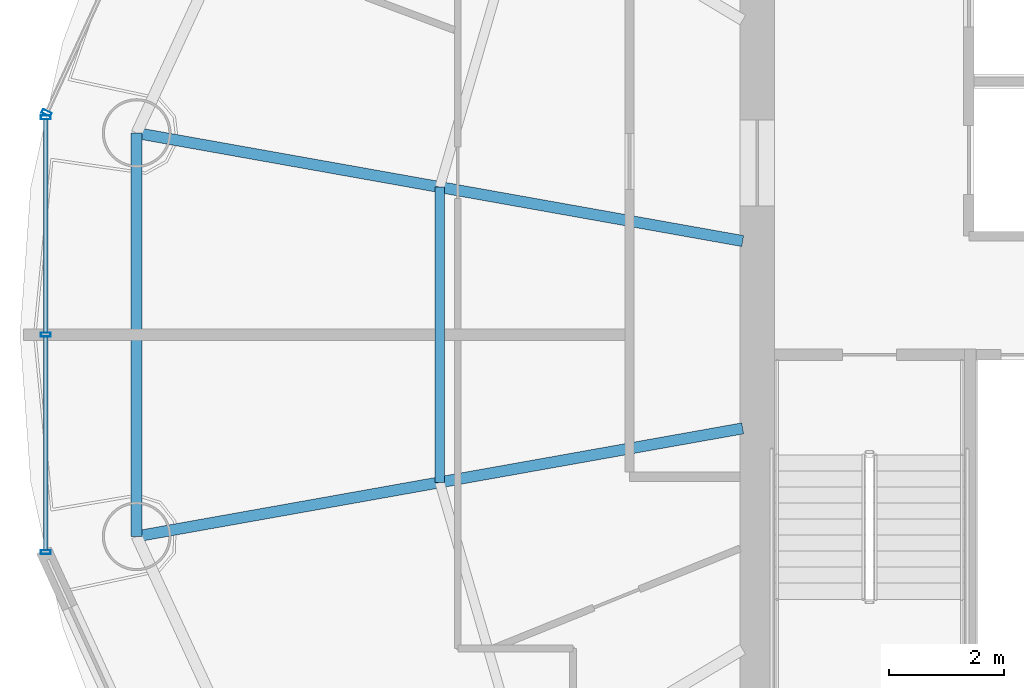
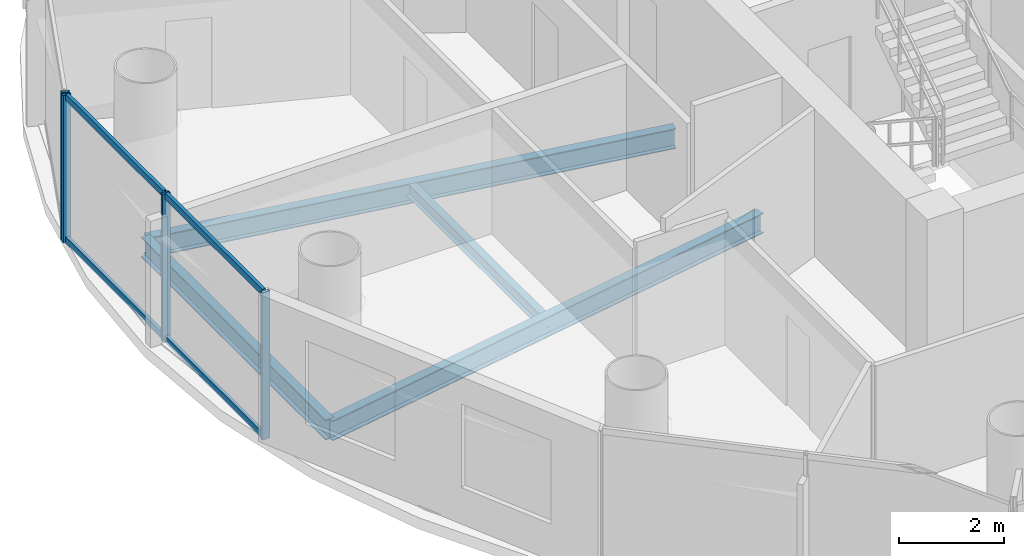
# One storey, part 7 of 26: 8 members, 4 beams, 2 elements without a shape of their own.
"""IFC4 building model written with IfcOpenShell, lengths in metres."""

from ifc_helpers import new_model, si_unit, direction, frame, origin, origin_2d, place, context, subcontext, project, spatial, hollow_rectangle, i_section, extrude, source, transform, mapped, material, material_profile, profile_set, type_object, element, aggregate, save


model = new_model("IFC4")

# Units and contexts
model_context = context("Model", 3, precision=1e-05, world=origin(), true_north=direction((-0.2419218956, 0.970295726276)))
body_context = subcontext(model_context, "Body", "Model", "MODEL_VIEW")
ifc_project = project(units=[si_unit("LENGTHUNIT", "METRE"), si_unit("AREAUNIT", "SQUARE_METRE"), si_unit("VOLUMEUNIT", "CUBIC_METRE"), si_unit("PLANEANGLEUNIT", "RADIAN"), si_unit("MASSUNIT", "GRAM", prefix="KILO")], contexts=[model_context])

# Site, building, storey
site_placement = place(None, origin())
site = spatial("IfcSite", under=ifc_project, at=site_placement, CompositionType="ELEMENT")
building_placement = place(site_placement, origin())
building = spatial("IfcBuilding", under=site, at=building_placement, Name="Cobrevalo Terracotta Tower", CompositionType="ELEMENT")
storey_placement = place(building_placement, frame((0.0, 0.0, 235.60009765625)))
storey = spatial("IfcBuildingStorey", under=building, at=storey_placement, Name="L62", CompositionType="ELEMENT", Elevation=235.60009765625)

# Beams
ifc_material_1 = material(Name="Steel S355", Category="steel")
ifc_material_profile_1 = material_profile(ifc_material_1, i_section(OverallWidth=0.194091796875, OverallDepth=0.468994140625, WebThickness=0.011474609375, FlangeThickness=0.0205078125, at=origin_2d()), Name="W 460x106")
ifc_profile_set_1 = profile_set([ifc_material_profile_1], Name="Steel S355")
beam_type_1 = type_object("IfcBeamType", Name="Structural Beam W 460x106 (Steel S355)", PredefinedType="BEAM", material=ifc_profile_set_1)
for number, where, z_axis, x_axis, name in (
    (1, (18.237060546875, 30.3212890625, -0.49951171875), (0.98449712063, -0.175400739656, 0.0), (0.175400739656, 0.98449712063, 0.0), "L62 radial floor girder 08"),
    (2, (18.237060546875, 23.278564453125, -0.49951171875), (0.984493198547, 0.175422752274, 0.0), (-0.175422752274, 0.984493198547, 0.0), "L62 radial floor girder 09"),
):
    element("IfcBeam", number, at=place(storey_placement, frame(where, z_axis=z_axis, x_axis=x_axis)), inside=storey, type_object=beam_type_1, Name=name, PredefinedType="BEAM", context=body_context, shape_type="SweptSolid", body=[
        extrude(i_section(OverallWidth=0.194091796875, OverallDepth=0.468994140625, WebThickness=0.011474609375, FlangeThickness=0.0205078125, at=origin_2d()), origin(), (0.0, 0.0, 1.0), 10.749755859375),
    ])
ifc_material_profile_2 = material_profile(ifc_material_1, i_section(OverallWidth=0.1650390625, OverallDepth=0.31005859375, WebThickness=0.005859375, FlangeThickness=0.009765625, at=origin_2d()), Name="W 310x38.7")
ifc_profile_set_2 = profile_set([ifc_material_profile_2], Name="Steel S355")
beam_type_2 = type_object("IfcBeamType", Name="Structural Joist W 310x38.7 (Steel S355)", PredefinedType="JOIST", material=ifc_profile_set_2)
beam_1_placement = place(storey_placement, frame((23.528564453125, 29.378662109375, -0.420166015625), z_axis=(0.0, -1.0, 0.0), x_axis=(1.0, 0.0, 0.0)))
element("IfcBeam", 3, at=beam_1_placement, inside=storey, type_object=beam_type_2, Name="L62 circumferential secondary floor joist 08", PredefinedType="JOIST", context=body_context, shape_type="SweptSolid", body=[
    extrude(i_section(OverallWidth=0.1650390625, OverallDepth=0.31005859375, WebThickness=0.005859375, FlangeThickness=0.009765625, at=origin_2d()), origin(), (0.0, 0.0, 1.0), 5.1572265625),
])
ifc_material_profile_3 = material_profile(ifc_material_1, i_section(OverallWidth=0.194091796875, OverallDepth=0.468994140625, WebThickness=0.011474609375, FlangeThickness=0.0205078125, at=origin_2d()), Name="W 460x106")
ifc_profile_set_3 = profile_set([ifc_material_profile_3], Name="Steel S355")
beam_type_3 = type_object("IfcBeamType", Name="Structural Spandrel W 460x106 (Steel S355)", PredefinedType="SPANDREL", material=ifc_profile_set_3)
beam_2_placement = place(storey_placement, frame((18.237060546875, 30.3212890625, -0.49951171875), z_axis=(0.0, -1.0, 0.0), x_axis=(1.0, 0.0, 0.0)))
element("IfcBeam", 4, at=beam_2_placement, inside=storey, type_object=beam_type_3, Name="L62 perimeter ring spandrel 08", PredefinedType="SPANDREL", context=body_context, shape_type="SweptSolid", body=[
    extrude(i_section(OverallWidth=0.194091796875, OverallDepth=0.468994140625, WebThickness=0.011474609375, FlangeThickness=0.0205078125, at=origin_2d()), origin(), (0.0, 0.0, 1.0), 7.042724609375),
])

# Curtain wall, members
ifc_material_2 = material(Name="Anodized aluminium", Category="aluminium")
curtain_wall_type = type_object("IfcCurtainWallType", Name="Mid-tower high-wind unitised curtain wall CW-U2", PredefinedType="NOTDEFINED", material=ifc_material_2)
curtain_wall_1_placement = place(storey_placement, origin())
curtain_wall_1 = element("IfcCurtainWall", 5, at=curtain_wall_1_placement, inside=storey, type_object=curtain_wall_type, Name="L62 curtain wall CW-L62-S08", PredefinedType="NOTDEFINED")
ifc_material_profile_4 = material_profile(ifc_material_2, hollow_rectangle(XDim=0.074951171875, YDim=0.14990234375, WallThickness=0.00439453125, at=origin_2d()), Name="CWT 75x150")
ifc_profile_set_4 = profile_set([ifc_material_profile_4], Name="Anodized aluminium")
member_type_1 = type_object("IfcMemberType", Name="Tower unitised aluminium transom 75x150", PredefinedType="USERDEFINED", material=ifc_profile_set_4)
shared_shape_1 = source(origin(), body_context, "Body", "SweptSolid", [
    extrude(hollow_rectangle(XDim=0.074951171875, YDim=0.14990234375, WallThickness=0.00439453125, at=origin_2d()), origin(), (0.0, 0.0, 1.0), 3.71728515625),
])
member_1_placement = place(storey_placement, frame((16.648193359375, 30.557373046875, 0.0498046875), z_axis=(0.0, -1.0, 0.0), x_axis=(1.0, 0.0, 0.0)))
member_1 = element("IfcMember", 6, at=member_1_placement, type_object=member_type_1, Name="CW-L62-S08 transom B01-T1", ObjectType="TRANSOM", PredefinedType="USERDEFINED", context=body_context, shape_type="MappedRepresentation", body=[
    mapped(shared_shape_1, transform((0.0, 0.0, 0.0), scale=1.0)),
])
member_2_placement = place(storey_placement, frame((16.648193359375, 30.557373046875, 3.385009765625), z_axis=(0.0, -1.0, 0.0), x_axis=(1.0, 0.0, 0.0)))
member_2 = element("IfcMember", 7, at=member_2_placement, type_object=member_type_1, Name="CW-L62-S08 transom B01-T2", ObjectType="TRANSOM", PredefinedType="USERDEFINED", context=body_context, shape_type="MappedRepresentation", body=[
    mapped(shared_shape_1, transform((0.0, 0.0, 0.0), scale=1.0)),
])
shared_shape_2 = source(origin(), body_context, "Body", "SweptSolid", [
    extrude(hollow_rectangle(XDim=0.074951171875, YDim=0.14990234375, WallThickness=0.00439453125, at=origin_2d()), origin(), (0.0, 0.0, 1.0), 3.717529296875),
])
member_3_placement = place(storey_placement, frame((16.648193359375, 26.760009765625, 0.0498046875), z_axis=(0.0, -1.0, 0.0), x_axis=(1.0, 0.0, 0.0)))
member_3 = element("IfcMember", 8, at=member_3_placement, type_object=member_type_1, Name="CW-L62-S08 transom B02-T1", ObjectType="TRANSOM", PredefinedType="USERDEFINED", context=body_context, shape_type="MappedRepresentation", body=[
    mapped(shared_shape_2, transform((0.0, 0.0, 0.0), scale=1.0)),
])
member_4_placement = place(storey_placement, frame((16.648193359375, 26.760009765625, 3.385009765625), z_axis=(0.0, -1.0, 0.0), x_axis=(1.0, 0.0, 0.0)))
member_4 = element("IfcMember", 9, at=member_4_placement, type_object=member_type_1, Name="CW-L62-S08 transom B02-T2", ObjectType="TRANSOM", PredefinedType="USERDEFINED", context=body_context, shape_type="MappedRepresentation", body=[
    mapped(shared_shape_2, transform((0.0, 0.0, 0.0), scale=1.0)),
])

# Curtain wall, member
curtain_wall_2_placement = place(storey_placement, origin())
curtain_wall_2 = element("IfcCurtainWall", 10, at=curtain_wall_2_placement, inside=storey, type_object=curtain_wall_type, Name="L62 curtain wall CW-L62-S07", PredefinedType="NOTDEFINED")
ifc_material_profile_5 = material_profile(ifc_material_2, hollow_rectangle(XDim=0.070068359375, YDim=0.169921875, WallThickness=0.00439453125, at=origin_2d()), Name="CWM 70x170")
ifc_profile_set_5 = profile_set([ifc_material_profile_5], Name="Anodized aluminium")
member_type_2 = type_object("IfcMemberType", Name="Upper tower unitised mullion 70x170", PredefinedType="MULLION", material=ifc_profile_set_5)
shared_shape_3 = source(origin(), body_context, "Body", "SweptSolid", [
    extrude(hollow_rectangle(XDim=0.070068359375, YDim=0.169921875, WallThickness=0.00439453125, at=origin_2d()), origin(), (0.0, 0.0, 1.0), 3.434814453125),
])
member_5_placement = place(storey_placement, frame((16.6650390625, 30.673828125, 0.0), z_axis=(0.0, 0.0, 1.0), x_axis=(-0.41672507912, -0.909032567311, 0.0)))
member_5 = element("IfcMember", 11, at=member_5_placement, type_object=member_type_2, Name="CW-L62-S07 vertical mullion 03", PredefinedType="MULLION", context=body_context, shape_type="MappedRepresentation", body=[
    mapped(shared_shape_3, transform((0.0, 0.0, 0.0), scale=1.0)),
])
aggregate(curtain_wall_2, [member_5])

# Member
member_6_placement = place(storey_placement, frame((16.648193359375, 30.597412109375, 0.0), z_axis=(0.0, 0.0, 1.0), x_axis=(0.0, -1.0, 0.0)))
member_6 = element("IfcMember", 12, at=member_6_placement, type_object=member_type_2, Name="CW-L62-S08 vertical mullion 01", PredefinedType="MULLION", context=body_context, shape_type="MappedRepresentation", body=[
    mapped(shared_shape_3, transform((0.0, 0.0, 0.0), scale=1.0)),
])

member_7_placement = place(storey_placement, frame((16.648193359375, 26.800048828125, 0.0), z_axis=(0.0, 0.0, 1.0), x_axis=(0.0, -1.0, 0.0)))
member_7 = element("IfcMember", 13, at=member_7_placement, type_object=member_type_2, Name="CW-L62-S08 vertical mullion 02", PredefinedType="MULLION", context=body_context, shape_type="MappedRepresentation", body=[
    mapped(shared_shape_3, transform((0.0, 0.0, 0.0), scale=1.0)),
])

member_8_placement = place(storey_placement, frame((16.648193359375, 23.002685546875, 0.0), z_axis=(0.0, 0.0, 1.0), x_axis=(0.0, -1.0, 0.0)))
member_8 = element("IfcMember", 14, at=member_8_placement, type_object=member_type_2, Name="CW-L62-S08 vertical mullion 03", PredefinedType="MULLION", context=body_context, shape_type="MappedRepresentation", body=[
    mapped(shared_shape_3, transform((0.0, 0.0, 0.0), scale=1.0)),
])

aggregate(curtain_wall_1, [member_6, member_7, member_8, member_1, member_2, member_3, member_4])

save(model, "model.ifc")
